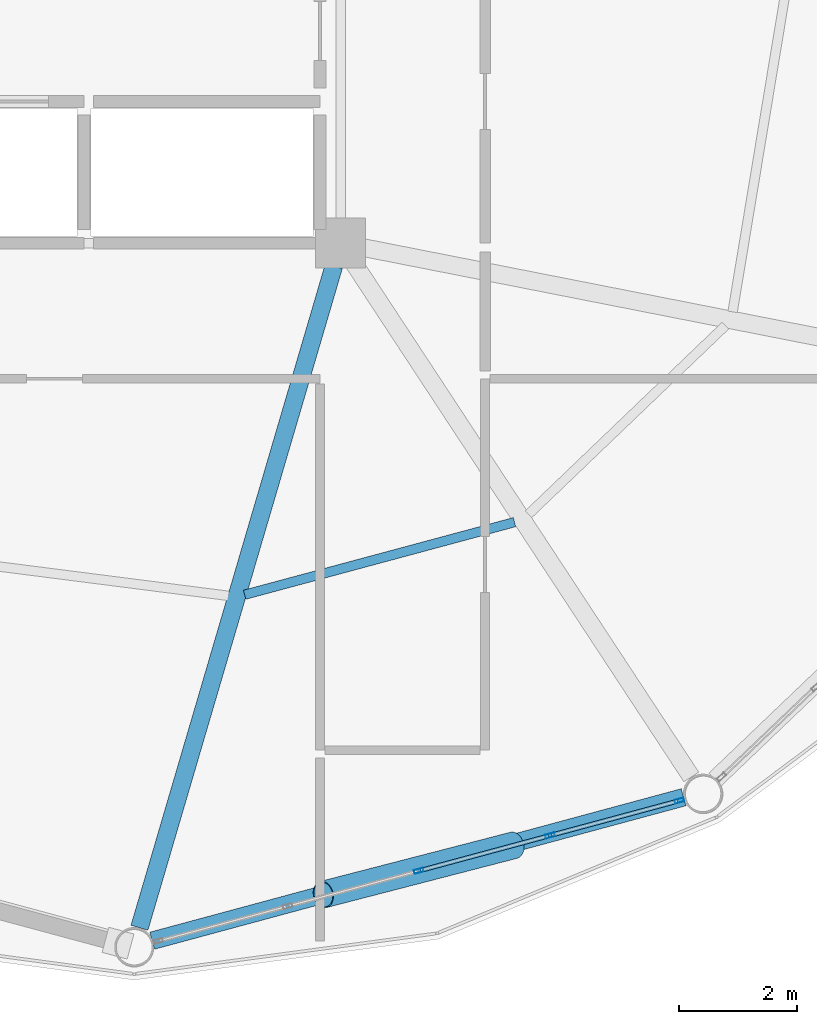
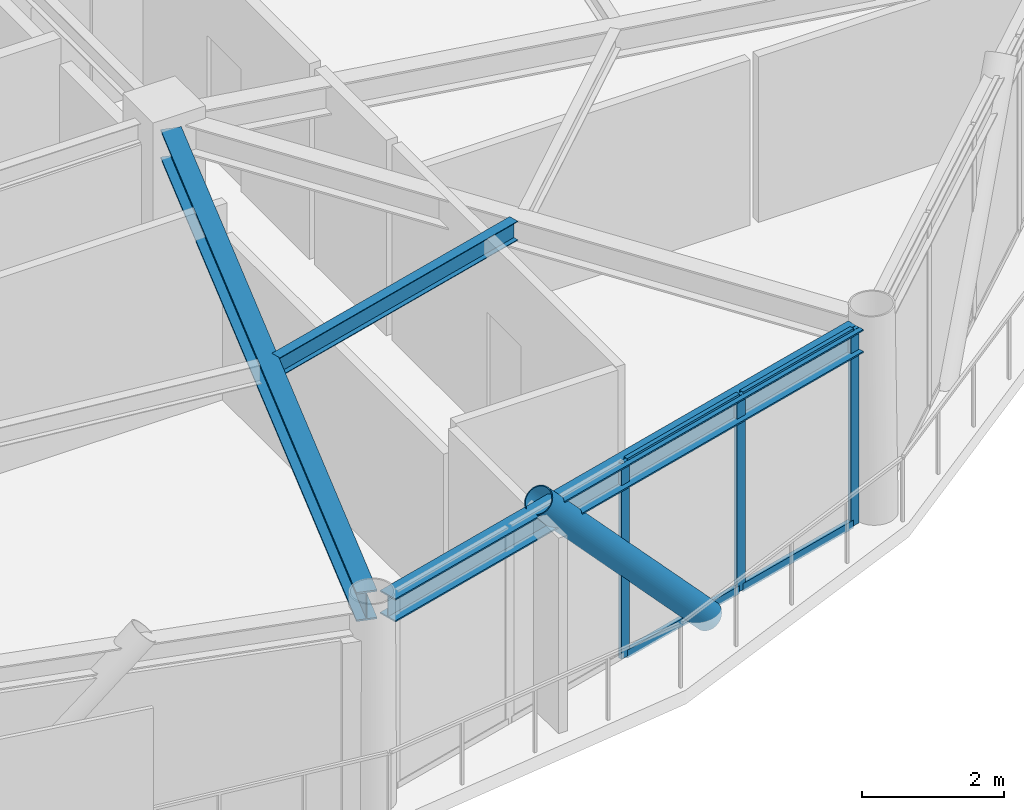
# One storey, part 8 of 28: 8 members, 3 beams, 1 element without a shape of its own.
"""IFC4 building model written with IfcOpenShell, lengths in metres."""

from ifc_helpers import new_model, si_unit, direction, frame, origin, origin_2d, place, context, subcontext, project, spatial, hollow_rectangle, hollow_circle, i_section, extrude, material, layer, layer_set, material_profile, profile_set, type_object, element, aggregate, save


model = new_model("IFC4")

# Units and contexts
model_context = context("Model", 3, precision=1e-05, world=origin(), true_north=direction((0.0, 1.0)))
body_context = subcontext(model_context, "Body", "Model", "MODEL_VIEW")
ifc_project = project(units=[si_unit("LENGTHUNIT", "METRE"), si_unit("AREAUNIT", "SQUARE_METRE"), si_unit("VOLUMEUNIT", "CUBIC_METRE"), si_unit("PLANEANGLEUNIT", "RADIAN"), si_unit("MASSUNIT", "GRAM", prefix="KILO")], contexts=[model_context])

# Site, building, storey
site_placement = place(None, origin())
site = spatial("IfcSite", under=ifc_project, at=site_placement, CompositionType="ELEMENT")
building_placement = place(site_placement, origin())
building = spatial("IfcBuilding", under=site, at=building_placement, Name="Varnakorn Sky Granary", CompositionType="ELEMENT")
storey_placement = place(building_placement, frame((0.0, 0.0, 196.800048828125)))
storey = spatial("IfcBuildingStorey", under=building, at=storey_placement, Name="L49", CompositionType="ELEMENT", Elevation=196.800048828125)

# Beams
ifc_material_1 = material(Name="Steel S355JR", Category="steel")
ifc_material_profile_1 = material_profile(ifc_material_1, i_section(OverallWidth=0.300048828125, OverallDepth=0.5, WebThickness=0.014404296875, FlangeThickness=0.028076171875, at=origin_2d()), Name="HE 500 B")
ifc_profile_set_1 = profile_set([ifc_material_profile_1], Name="Steel S355JR")
beam_type_1 = type_object("IfcBeamType", Name="BM-RAD-Z4", PredefinedType="BEAM", material=ifc_profile_set_1)
beam_1_placement = place(storey_placement, frame((8.23583984375, -6.988525390625, 3.10986328125), z_axis=(-0.281889446267, -0.959446892789, 0.0), x_axis=(0.959446892789, -0.281889446267, 0.0)))
element("IfcBeam", 1, at=beam_1_placement, inside=storey, type_object=beam_type_1, Name="Radial Floor Girder RG10 L49", PredefinedType="BEAM", context=body_context, shape_type="SweptSolid", body=[
    extrude(i_section(OverallWidth=0.300048828125, OverallDepth=0.5, WebThickness=0.014404296875, FlangeThickness=0.028076171875, at=origin_2d()), origin(), (0.0, 0.0, 1.0), 11.696533203125),
])
ifc_material_profile_2 = material_profile(ifc_material_1, i_section(OverallWidth=0.159912109375, OverallDepth=0.330078125, WebThickness=0.007568359375, FlangeThickness=0.011474609375, at=origin_2d()), Name="IPE 330")
ifc_profile_set_2 = profile_set([ifc_material_profile_2], Name="Steel S355JR")
beam_type_2 = type_object("IfcBeamType", Name="BM-SEC-Z4", PredefinedType="BEAM", material=ifc_profile_set_2)
beam_2_placement = place(storey_placement, frame((6.722412109375, -12.563232421875, 3.195068359375), z_axis=(0.965664972766, 0.259790608706, 0.0), x_axis=(-0.259790608706, 0.965664972766, 0.0)))
element("IfcBeam", 2, at=beam_2_placement, inside=storey, type_object=beam_type_2, Name="Secondary Floor Chord Beam MSB10 L49", PredefinedType="BEAM", context=body_context, shape_type="SweptSolid", body=[
    extrude(i_section(OverallWidth=0.159912109375, OverallDepth=0.330078125, WebThickness=0.007568359375, FlangeThickness=0.011474609375, at=origin_2d()), origin(), (0.0, 0.0, 1.0), 4.740234375),
])
ifc_material_profile_3 = material_profile(ifc_material_1, i_section(OverallWidth=0.300048828125, OverallDepth=0.39990234375, WebThickness=0.013427734375, FlangeThickness=0.02392578125, at=origin_2d()), Name="HE 400 B")
ifc_profile_set_3 = profile_set([ifc_material_profile_3], Name="Steel S355JR")
beam_type_3 = type_object("IfcBeamType", Name="BM-SPD-Z4", PredefinedType="SPANDREL", material=ifc_profile_set_3)
beam_3_placement = place(storey_placement, frame((5.154052734375, -18.430908203125, 3.159912109375), z_axis=(0.965435992798, 0.260640257462, 0.0), x_axis=(-0.260640257462, 0.965435992798, 0.0)))
element("IfcBeam", 3, at=beam_3_placement, inside=storey, type_object=beam_type_3, Name="Perimeter Spandrel Ring Beam RB10 L49", PredefinedType="SPANDREL", context=body_context, shape_type="SweptSolid", body=[
    extrude(i_section(OverallWidth=0.300048828125, OverallDepth=0.39990234375, WebThickness=0.013427734375, FlangeThickness=0.02392578125, at=origin_2d()), origin(), (0.0, 0.0, 1.0), 9.335205078125),
])

# Curtain wall, members
ifc_material_2 = material(Name="Anodised Bronze Aluminium Alloy 6063-T6", Category="aluminium")
ifc_layer = layer(ifc_material_2, 0.169921875, Name="Anodised Bronze Aluminium Alloy 6063-T6")
ifc_layer_set = layer_set([ifc_layer], Name="Anodised Bronze Aluminium Alloy 6063-T6")
curtain_wall_type = type_object("IfcCurtainWallType", Name="CW-LAB-1", PredefinedType="USERDEFINED", material=ifc_layer_set)
curtain_wall_placement = place(storey_placement, origin())
curtain_wall = element("IfcCurtainWall", 4, at=curtain_wall_placement, inside=storey, type_object=curtain_wall_type, Name="Unitised Curtain Wall CW5 CW-L49-B10", ObjectType="CURTAIN WALL", PredefinedType="USERDEFINED")
ifc_material_profile_4 = material_profile(ifc_material_2, hollow_rectangle(XDim=0.06494140625, YDim=0.159912109375, WallThickness=0.00341796875, at=origin_2d()), Name="ALU MULL 65x160")
ifc_profile_set_4 = profile_set([ifc_material_profile_4], Name="Anodised Bronze Aluminium Alloy 6063-T6")
member_type_1 = type_object("IfcMemberType", Name="CW-LAB-1-MULL", PredefinedType="MULLION", material=ifc_profile_set_4)
member_1_placement = place(storey_placement, frame((14.096435546875, -16.05517578125, 0.0), z_axis=(0.0, 0.0, 1.0), x_axis=(0.260195590554, -0.965555930362, 0.0)))
member_1 = element("IfcMember", 5, at=member_1_placement, type_object=member_type_1, Name="CW5 mullion 1", PredefinedType="MULLION", context=body_context, shape_type="SweptSolid", body=[
    extrude(hollow_rectangle(XDim=0.06494140625, YDim=0.159912109375, WallThickness=0.00341796875, at=origin_2d()), origin(), (0.0, 0.0, 1.0), 3.35986328125),
])
member_2_placement = place(storey_placement, frame((11.902587890625, -16.646484375, 0.0), z_axis=(0.0, 0.0, 1.0), x_axis=(0.260195590554, -0.965555930362, 0.0)))
member_2 = element("IfcMember", 6, at=member_2_placement, type_object=member_type_1, Name="CW5 mullion 2", PredefinedType="MULLION", context=body_context, shape_type="SweptSolid", body=[
    extrude(hollow_rectangle(XDim=0.06494140625, YDim=0.159912109375, WallThickness=0.00341796875, at=origin_2d()), origin(), (0.0, 0.0, 1.0), 3.35986328125),
])
member_3_placement = place(storey_placement, frame((9.67724609375, -17.24609375, 0.0), z_axis=(0.0, 0.0, 1.0), x_axis=(0.260195590554, -0.965555930362, 0.0)))
member_3 = element("IfcMember", 7, at=member_3_placement, type_object=member_type_1, Name="CW5 mullion 3", PredefinedType="MULLION", context=body_context, shape_type="SweptSolid", body=[
    extrude(hollow_rectangle(XDim=0.06494140625, YDim=0.159912109375, WallThickness=0.00341796875, at=origin_2d()), origin(), (0.0, 0.0, 1.0), 3.35986328125),
])
ifc_material_profile_5 = material_profile(ifc_material_2, hollow_rectangle(XDim=0.070068359375, YDim=0.139892578125, WallThickness=0.00341796875, at=origin_2d()), Name="ALU TRAN 70x140")
ifc_profile_set_5 = profile_set([ifc_material_profile_5], Name="Anodised Bronze Aluminium Alloy 6063-T6")
member_type_2 = type_object("IfcMemberType", Name="CW-LAB-1-TRAN", PredefinedType="USERDEFINED", material=ifc_profile_set_5)
member_4_placement = place(storey_placement, frame((14.065185546875, -16.063720703125, 0.034912109375), z_axis=(-0.965570892415, -0.260140061737, 0.0), x_axis=(0.260140061737, -0.965570892415, 0.0)))
member_4 = element("IfcMember", 8, at=member_4_placement, type_object=member_type_2, Name="CW5 transom 1.1", ObjectType="TRANSOM", PredefinedType="USERDEFINED", context=body_context, shape_type="SweptSolid", body=[
    extrude(hollow_rectangle(XDim=0.070068359375, YDim=0.139892578125, WallThickness=0.00341796875, at=origin_2d()), origin(), (0.0, 0.0, 1.0), 2.207275390625),
])
member_5_placement = place(storey_placement, frame((14.065185546875, -16.063720703125, 3.324951171875), z_axis=(-0.965570892415, -0.260140061737, 0.0), x_axis=(0.260140061737, -0.965570892415, 0.0)))
member_5 = element("IfcMember", 9, at=member_5_placement, type_object=member_type_2, Name="CW5 transom 1.2", ObjectType="TRANSOM", PredefinedType="USERDEFINED", context=body_context, shape_type="SweptSolid", body=[
    extrude(hollow_rectangle(XDim=0.070068359375, YDim=0.139892578125, WallThickness=0.00341796875, at=origin_2d()), origin(), (0.0, 0.0, 1.0), 2.207275390625),
])
member_6_placement = place(storey_placement, frame((11.87109375, -16.655029296875, 0.034912109375), z_axis=(-0.965549415671, -0.260219764616, 0.0), x_axis=(0.260219764616, -0.965549415671, 0.0)))
member_6 = element("IfcMember", 10, at=member_6_placement, type_object=member_type_2, Name="CW5 transom 2.1", ObjectType="TRANSOM", PredefinedType="USERDEFINED", context=body_context, shape_type="SweptSolid", body=[
    extrude(hollow_rectangle(XDim=0.070068359375, YDim=0.139892578125, WallThickness=0.00341796875, at=origin_2d()), origin(), (0.0, 0.0, 1.0), 2.239501953125),
])
member_7_placement = place(storey_placement, frame((11.87109375, -16.655029296875, 3.324951171875), z_axis=(-0.965549415671, -0.260219764616, 0.0), x_axis=(0.260219764616, -0.965549415671, 0.0)))
member_7 = element("IfcMember", 11, at=member_7_placement, type_object=member_type_2, Name="CW5 transom 2.2", ObjectType="TRANSOM", PredefinedType="USERDEFINED", context=body_context, shape_type="SweptSolid", body=[
    extrude(hollow_rectangle(XDim=0.070068359375, YDim=0.139892578125, WallThickness=0.00341796875, at=origin_2d()), origin(), (0.0, 0.0, 1.0), 2.239501953125),
])
aggregate(curtain_wall, [member_1, member_2, member_3, member_4, member_5, member_6, member_7])

# Member
ifc_material_3 = material(Name="Steel S460M", Category="steel")
ifc_material_profile_6 = material_profile(ifc_material_3, hollow_circle(Radius=0.228515625, WallThickness=0.01611328125, at=origin_2d()), Name="CHS 457x16")
ifc_profile_set_6 = profile_set([ifc_material_profile_6], Name="Steel S460M")
member_type_3 = type_object("IfcMemberType", Name="MB-DIAG-T3", PredefinedType="BRACE", material=ifc_profile_set_6)
member_8_placement = place(storey_placement, frame((11.286376953125, -16.8125, -0.130126953125), z_axis=(-0.65605916982, -0.169569572242, 0.735413166774), x_axis=(0.250243246883, -0.968182997883, 0.0)))
element("IfcMember", 12, at=member_8_placement, inside=storey, type_object=member_type_3, Name="Perimeter CHS Diagrid Brace DG10 L49", PredefinedType="BRACE", context=body_context, shape_type="SweptSolid", body=[
    extrude(hollow_circle(Radius=0.228515625, WallThickness=0.01611328125, at=origin_2d()), origin(), (0.0, 0.0, 1.0), 4.922607421875),
])

save(model, "model.ifc")
